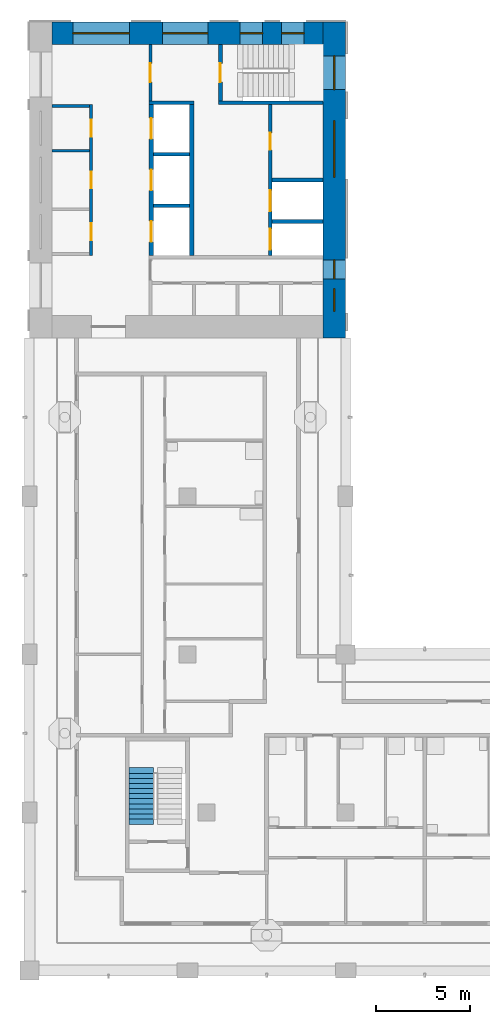
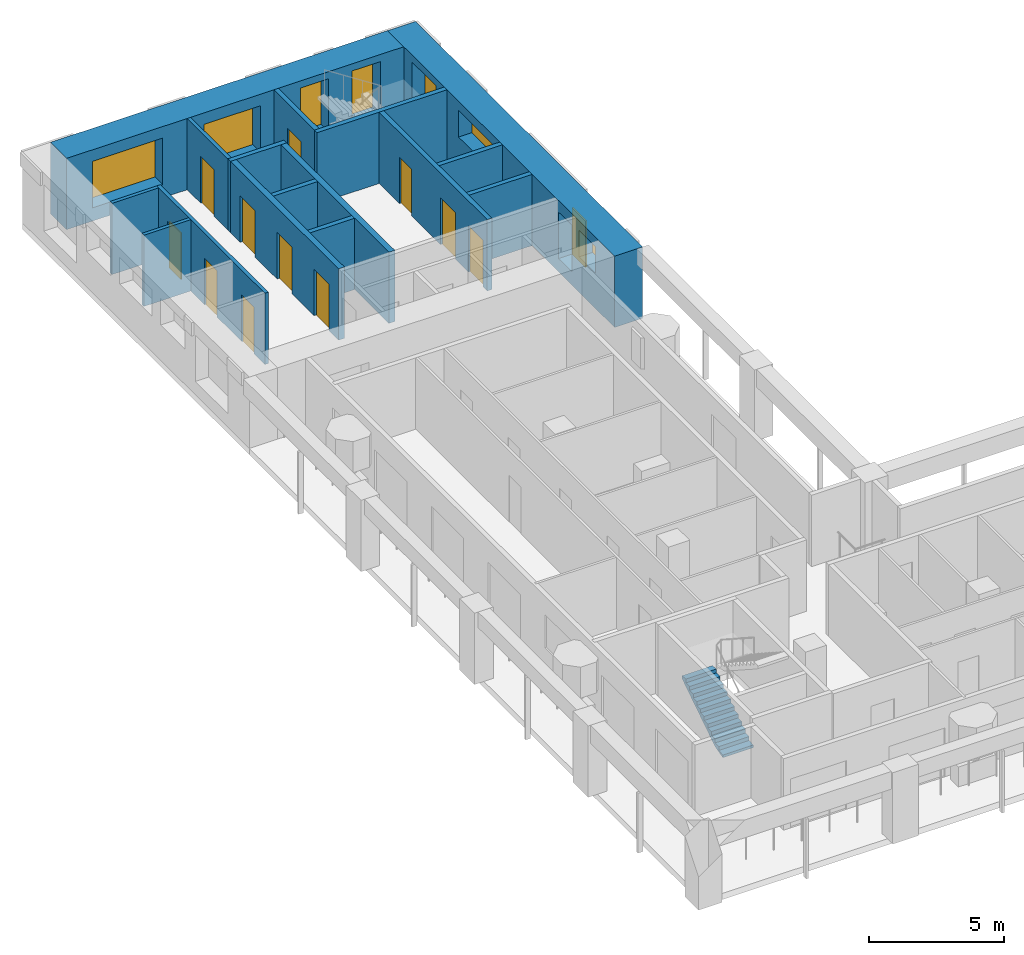
# One storey, part 6 of 12: 16 walls, 11 doors, 8 windows, 1 stair flight, 19 openings, 1 element without a shape of its own.
"""IFC4 building model written with IfcOpenShell, lengths in metres."""

from ifc_helpers import new_model, si_unit, direction, frame, frame_2d, origin, place, context, subcontext, project, spatial, polyline, rectangle, outline, extrude, material, layer, layer_set, type_object, element, fill, aggregate, save


model = new_model("IFC4")

# Units and contexts
model_context = context("Model", 3, precision=1e-05, world=origin(), true_north=direction((0.0, 1.0)))
body_context = subcontext(model_context, "Body", "Model", "MODEL_VIEW")
ifc_project = project(units=[si_unit("LENGTHUNIT", "METRE"), si_unit("AREAUNIT", "SQUARE_METRE"), si_unit("VOLUMEUNIT", "CUBIC_METRE"), si_unit("PLANEANGLEUNIT", "RADIAN"), si_unit("MASSUNIT", "GRAM", prefix="KILO")], contexts=[model_context])

# Site, building, storey
site_placement = place(None, origin())
site = spatial("IfcSite", under=ifc_project, at=site_placement, CompositionType="ELEMENT")
building_placement = place(site_placement, origin())
building = spatial("IfcBuilding", under=site, at=building_placement, Name="Vermilion Gate Residences", CompositionType="ELEMENT")
storey_placement = place(building_placement, frame((0.0, 0.0, 238.699951171875)))
storey = spatial("IfcBuildingStorey", under=building, at=storey_placement, Name="L62", CompositionType="ELEMENT", Elevation=238.699951171875)

# Walls
ifc_material_1 = material(Name="Masonry blockwork", Category="masonry")
ifc_layer_1 = layer(ifc_material_1, 0.14990234375)
ifc_layer_set_1 = layer_set([ifc_layer_1], Name="BLOCKWORK PARTITION 150 EI 120")
wall_type_1 = type_object("IfcWallType", Name="BLOCKWORK PARTITION 150 EI 120", PredefinedType="PARTITIONING", material=ifc_layer_set_1)
for number, where, z_axis, x_axis, name in (
    (1, (9.60009765625, 54.324951171875, 0.0), (0.0, 0.0, 1.0), (1.0, 0.0, 0.0), "Core room partition B62-RW-W"),
    (2, (9.60009765625, 51.955078125, 0.0), (0.0, 0.0, 1.0), (1.0, 0.0, 0.0), "Core room partition B62-SR-P0"),
):
    element("IfcWall", number, at=place(storey_placement, frame(where, z_axis=z_axis, x_axis=x_axis)), inside=storey, type_object=wall_type_1, Name=name, PredefinedType="PARTITIONING", context=body_context, shape_type="SweptSolid", body=[
        extrude(rectangle(XDim=2.0, YDim=0.14990234375, at=frame_2d((1.0, 0.0))), origin(), (0.0, 0.0, 1.0), 3.219970703125),
    ])

# Wall, openings, doors
wall_1_placement = place(storey_placement, frame((11.675048828125, 54.39990234375, 0.0), z_axis=(0.0, 0.0, 1.0), x_axis=(0.0, -1.0, 0.0)))
wall_1 = element("IfcWall", 3, at=wall_1_placement, inside=storey, type_object=wall_type_1, Name="Core room partition B62-LR-F", PredefinedType="PARTITIONING", context=body_context, shape_type="SweptSolid", body=[
    extrude(rectangle(XDim=8.0, YDim=0.14990234375, at=frame_2d((4.0, 0.0))), origin(), (0.0, 0.0, 1.0), 3.219970703125),
])
opening_1_placement = place(wall_1_placement, frame((0.81005859375, 0.0, 0.0)))
opening_1 = element("IfcOpeningElement", 4, at=opening_1_placement, cuts=wall_1, Name="Opening DK62102", PredefinedType="OPENING", context=body_context, shape_type="SweptSolid", body=[
    extrude(rectangle(XDim=0.89990234375, YDim=2.10009765625, at=frame_2d((0.449951171875, 1.050048828125))), frame((0.0, 0.0849609375, 0.0), z_axis=(0.0, -1.0, 0.0), x_axis=(1.0, 0.0, 0.0)), (0.0, 0.0, 1.0), 0.169921875),
])
opening_2_placement = place(wall_1_placement, frame((3.550048828125, 0.0, 0.0)))
opening_2 = element("IfcOpeningElement", 5, at=opening_2_placement, cuts=wall_1, Name="Opening DK62103", PredefinedType="OPENING", context=body_context, shape_type="SweptSolid", body=[
    extrude(rectangle(XDim=0.89990234375, YDim=2.10009765625, at=frame_2d((0.449951171875, 1.050048828125))), frame((0.0, 0.0849609375, 0.0), z_axis=(0.0, -1.0, 0.0), x_axis=(1.0, 0.0, 0.0)), (0.0, 0.0, 1.0), 0.169921875),
])
opening_3_placement = place(wall_1_placement, frame((6.2900390625, 0.0, 0.0)))
opening_3 = element("IfcOpeningElement", 6, at=opening_3_placement, cuts=wall_1, Name="Opening DK62104", PredefinedType="OPENING", context=body_context, shape_type="SweptSolid", body=[
    extrude(rectangle(XDim=0.89990234375, YDim=2.10009765625, at=frame_2d((0.449951171875, 1.050048828125))), frame((0.0, 0.0849609375, 0.0), z_axis=(0.0, -1.0, 0.0), x_axis=(1.0, 0.0, 0.0)), (0.0, 0.0, 1.0), 0.169921875),
])
ifc_material_2 = material(Name="Steel", Category="steel")
door_type_1 = type_object("IfcDoorType", Name="SERVICE ROOM DOOR FD60 900 X 2100", OperationType="SINGLE_SWING_LEFT", PredefinedType="DOOR", material=ifc_material_2)
door_1_placement = place(opening_1_placement, origin())
door_1 = element("IfcDoor", 7, at=door_1_placement, inside=storey, type_object=door_type_1, Name="Electrical room B62", OperationType="SINGLE_SWING_LEFT", OverallHeight=2.10009765625, OverallWidth=0.89990234375, PredefinedType="DOOR", context=body_context, shape_type="SweptSolid", body=[
    extrude(rectangle(XDim=0.89990234375, YDim=2.10009765625, at=frame_2d((0.449951171875, 1.050048828125))), frame((0.0, 0.02490234375, 0.0), z_axis=(0.0, -1.0, 0.0), x_axis=(1.0, 0.0, 0.0)), (0.0, 0.0, 1.0), 0.050048828125),
])
fill(opening_1, door_1)
door_2_placement = place(opening_2_placement, frame((0.89990234375, 0.0, 0.0), z_axis=(0.0, 0.0, 1.0), x_axis=(-1.0, 0.0, 0.0)))
door_2 = element("IfcDoor", 8, at=door_2_placement, inside=storey, type_object=door_type_1, Name="Communications room B62", OperationType="SINGLE_SWING_RIGHT", OverallHeight=2.10009765625, OverallWidth=0.89990234375, PredefinedType="DOOR", context=body_context, shape_type="SweptSolid", body=[
    extrude(rectangle(XDim=0.89990234375, YDim=2.10009765625, at=frame_2d((0.449951171875, 1.050048828125))), frame((0.0, 0.02490234375, 0.0), z_axis=(0.0, -1.0, 0.0), x_axis=(1.0, 0.0, 0.0)), (0.0, 0.0, 1.0), 0.050048828125),
])
fill(opening_2, door_2)
door_3_placement = place(opening_3_placement, frame((0.89990234375, 0.0, 0.0), z_axis=(0.0, 0.0, 1.0), x_axis=(-1.0, 0.0, 0.0)))
door_3 = element("IfcDoor", 9, at=door_3_placement, inside=storey, type_object=door_type_1, Name="Refuse room B62", OperationType="SINGLE_SWING_RIGHT", OverallHeight=2.10009765625, OverallWidth=0.89990234375, PredefinedType="DOOR", context=body_context, shape_type="SweptSolid", body=[
    extrude(rectangle(XDim=0.89990234375, YDim=2.10009765625, at=frame_2d((0.449951171875, 1.050048828125))), frame((0.0, 0.02490234375, 0.0), z_axis=(0.0, -1.0, 0.0), x_axis=(1.0, 0.0, 0.0)), (0.0, 0.0, 1.0), 0.050048828125),
])
fill(opening_3, door_3)

# Wall, opening, door
wall_2_placement = place(storey_placement, frame((14.824951171875, 57.60009765625, 0.0), z_axis=(0.0, 0.0, 1.0), x_axis=(0.0, -1.0, 0.0)))
wall_2 = element("IfcWall", 10, at=wall_2_placement, inside=storey, type_object=wall_type_1, Name="Core room partition B62-VW-S", PredefinedType="PARTITIONING", context=body_context, shape_type="SweptSolid", body=[
    extrude(rectangle(XDim=3.0, YDim=0.14990234375, at=frame_2d((1.5, 0.0))), origin(), (0.0, 0.0, 1.0), 3.219970703125),
])
opening_4_placement = place(wall_2_placement, frame((1.0, 0.0, 0.0)))
opening_4 = element("IfcOpeningElement", 11, at=opening_4_placement, cuts=wall_2, Name="Opening DK62111", PredefinedType="OPENING", context=body_context, shape_type="SweptSolid", body=[
    extrude(rectangle(XDim=1.0, YDim=2.10009765625, at=frame_2d((0.5, 1.050048828125))), frame((0.0, 0.0849609375, 0.0), z_axis=(0.0, -1.0, 0.0), x_axis=(1.0, 0.0, 0.0)), (0.0, 0.0, 1.0), 0.169921875),
])
ifc_material_3 = material(Name="Steel", Category="steel")
door_type_2 = type_object("IfcDoorType", Name="FIRE DOOR FD60 1000 X 2100", OperationType="SINGLE_SWING_LEFT", PredefinedType="DOOR", material=ifc_material_3)
door_4_placement = place(opening_4_placement, frame((1.0, 0.0, 0.0), z_axis=(0.0, 0.0, 1.0), x_axis=(-1.0, 0.0, 0.0)))
door_4 = element("IfcDoor", 12, at=door_4_placement, inside=storey, type_object=door_type_2, Name="Stair vestibule door B62", OperationType="SINGLE_SWING_RIGHT", OverallHeight=2.10009765625, OverallWidth=1.0, PredefinedType="DOOR", context=body_context, shape_type="SweptSolid", body=[
    extrude(rectangle(XDim=1.0, YDim=2.10009765625, at=frame_2d((0.5, 1.050048828125))), frame((0.0, 0.02490234375, 0.0), z_axis=(0.0, -1.0, 0.0), x_axis=(1.0, 0.0, 0.0)), (0.0, 0.0, 1.0), 0.050048828125),
])
fill(opening_4, door_4)

# Walls
ifc_material_4 = material(Name="Concrete C60", Category="concrete")
ifc_layer_2 = layer(ifc_material_4, 0.199951171875)
ifc_layer_set_2 = layer_set([ifc_layer_2], Name="RC CORE INTERNAL WALL 200 C60")
wall_type_2 = type_object("IfcWallType", Name="RC CORE INTERNAL WALL 200 C60", PredefinedType="SHEAR", material=ifc_layer_set_2)
for number, where, z_axis, x_axis, name in (
    (13, (15.0, 51.7666015625, 0.0), (0.0, 0.0, 1.0), (1.0, 0.0, 0.0), "Core internal wall B62-HR-D1"),
    (14, (15.0, 49.033447265625, 0.0), (0.0, 0.0, 1.0), (1.0, 0.0, 0.0), "Core internal wall B62-HR-D2"),
):
    element("IfcWall", number, at=place(storey_placement, frame(where, z_axis=z_axis, x_axis=x_axis)), inside=storey, type_object=wall_type_2, Name=name, PredefinedType="SHEAR", context=body_context, shape_type="SweptSolid", body=[
        extrude(rectangle(XDim=1.89990234375, YDim=0.199951171875, at=frame_2d((0.949951171875, 0.0))), origin(), (0.0, 0.0, 1.0), 3.219970703125),
    ])
for number, where, z_axis, x_axis, name in (
    (15, (21.300048828125, 50.39990234375, 0.0), (0.0, 0.0, 1.0), (1.0, 0.0, 0.0), "Core internal wall B62-FF-D0"),
    (16, (21.300048828125, 48.199951171875, 0.0), (0.0, 0.0, 1.0), (1.0, 0.0, 0.0), "Core internal wall B62-FF-D1"),
):
    element("IfcWall", number, at=place(storey_placement, frame(where, z_axis=z_axis, x_axis=x_axis)), inside=storey, type_object=wall_type_2, Name=name, PredefinedType="SHEAR", context=body_context, shape_type="SweptSolid", body=[
        extrude(rectangle(XDim=2.699951171875, YDim=0.199951171875, at=frame_2d((1.35009765625, 0.0))), origin(), (0.0, 0.0, 1.0), 3.219970703125),
    ])

# Wall, openings, doors
wall_3_placement = place(storey_placement, frame((21.199951171875, 54.39990234375, 0.0), z_axis=(0.0, 0.0, 1.0), x_axis=(0.0, -1.0, 0.0)))
wall_3 = element("IfcWall", 17, at=wall_3_placement, inside=storey, type_object=wall_type_2, Name="Core internal wall B62-FF-F", PredefinedType="SHEAR", context=body_context, shape_type="SweptSolid", body=[
    extrude(rectangle(XDim=8.0, YDim=0.199951171875, at=frame_2d((4.0, 0.0))), origin(), (0.0, 0.0, 1.0), 3.219970703125),
])
opening_5_placement = place(wall_3_placement, frame((1.5, 0.0, 0.0)))
opening_5 = element("IfcOpeningElement", 18, at=opening_5_placement, cuts=wall_3, Name="Opening DK62108", PredefinedType="OPENING", context=body_context, shape_type="SweptSolid", body=[
    extrude(rectangle(XDim=0.89990234375, YDim=2.10009765625, at=frame_2d((0.449951171875, 1.050048828125))), frame((0.0, 0.10986328125, 0.0), z_axis=(0.0, -1.0, 0.0), x_axis=(1.0, 0.0, 0.0)), (0.0, 0.0, 1.0), 0.219970703125),
])
opening_6_placement = place(wall_3_placement, frame((4.550048828125, 0.0, 0.0)))
opening_6 = element("IfcOpeningElement", 19, at=opening_6_placement, cuts=wall_3, Name="Opening LD", PredefinedType="OPENING", context=body_context, shape_type="SweptSolid", body=[
    extrude(rectangle(XDim=1.10009765625, YDim=2.10009765625, at=frame_2d((0.550048828125, 1.050048828125))), frame((0.0, 0.10986328125, 0.0), z_axis=(0.0, -1.0, 0.0), x_axis=(1.0, 0.0, 0.0)), (0.0, 0.0, 1.0), 0.219970703125),
])
opening_7_placement = place(wall_3_placement, frame((6.60009765625, 0.0, 0.0)))
opening_7 = element("IfcOpeningElement", 20, at=opening_7_placement, cuts=wall_3, Name="Opening LD", PredefinedType="OPENING", context=body_context, shape_type="SweptSolid", body=[
    extrude(rectangle(XDim=1.10009765625, YDim=2.10009765625, at=frame_2d((0.550048828125, 1.050048828125))), frame((0.0, 0.10986328125, 0.0), z_axis=(0.0, -1.0, 0.0), x_axis=(1.0, 0.0, 0.0)), (0.0, 0.0, 1.0), 0.219970703125),
])
ifc_material_5 = material(Name="Stainless steel", Category="steel")
door_type_3 = type_object("IfcDoorType", Name="LIFT LANDING DOOR E60 1100 X 2100", OperationType="DOUBLE_DOOR_SLIDING", PredefinedType="DOOR", material=ifc_material_5)
door_5_placement = place(opening_6_placement, origin())
door_5 = element("IfcDoor", 21, at=door_5_placement, inside=storey, type_object=door_type_3, Name="Lift landing door LFB1", OperationType="DOUBLE_DOOR_SLIDING", OverallHeight=2.10009765625, OverallWidth=1.10009765625, PredefinedType="DOOR", context=body_context, shape_type="SweptSolid", body=[
    extrude(rectangle(XDim=1.10009765625, YDim=2.10009765625, at=frame_2d((0.550048828125, 1.050048828125))), frame((0.0, 0.02490234375, 0.0), z_axis=(0.0, -1.0, 0.0), x_axis=(1.0, 0.0, 0.0)), (0.0, 0.0, 1.0), 0.050048828125),
])
fill(opening_6, door_5)
door_6_placement = place(opening_7_placement, origin())
door_6 = element("IfcDoor", 22, at=door_6_placement, inside=storey, type_object=door_type_3, Name="Lift landing door LCB1", OperationType="DOUBLE_DOOR_SLIDING", OverallHeight=2.10009765625, OverallWidth=1.10009765625, PredefinedType="DOOR", context=body_context, shape_type="SweptSolid", body=[
    extrude(rectangle(XDim=1.10009765625, YDim=2.10009765625, at=frame_2d((0.550048828125, 1.050048828125))), frame((0.0, 0.02490234375, 0.0), z_axis=(0.0, -1.0, 0.0), x_axis=(1.0, 0.0, 0.0)), (0.0, 0.0, 1.0), 0.050048828125),
])
fill(opening_7, door_6)
door_7_placement = place(opening_5_placement, origin())
door_7 = element("IfcDoor", 23, at=door_7_placement, inside=storey, type_object=door_type_1, Name="Electrical riser B62", OperationType="SINGLE_SWING_LEFT", OverallHeight=2.10009765625, OverallWidth=0.89990234375, PredefinedType="DOOR", context=body_context, shape_type="SweptSolid", body=[
    extrude(rectangle(XDim=0.89990234375, YDim=2.10009765625, at=frame_2d((0.449951171875, 1.050048828125))), frame((0.0, 0.02490234375, 0.0), z_axis=(0.0, -1.0, 0.0), x_axis=(1.0, 0.0, 0.0)), (0.0, 0.0, 1.0), 0.050048828125),
])
fill(opening_5, door_7)

# Walls
wall_4_placement = place(storey_placement, frame((14.75, 54.5, 0.0), z_axis=(0.0, 0.0, 1.0), x_axis=(1.0, 0.0, 0.0)))
element("IfcWall", 24, at=wall_4_placement, inside=storey, type_object=wall_type_2, Name="Core internal wall B62-WDIV1", PredefinedType="SHEAR", context=body_context, shape_type="SweptSolid", body=[
    extrude(rectangle(XDim=2.39990234375, YDim=0.199951171875, at=frame_2d((1.199951171875, 0.0))), origin(), (0.0, 0.0, 1.0), 3.219970703125),
])
wall_5_placement = place(storey_placement, frame((18.449951171875, 54.5, 0.0), z_axis=(0.0, 0.0, 1.0), x_axis=(1.0, 0.0, 0.0)))
element("IfcWall", 25, at=wall_5_placement, inside=storey, type_object=wall_type_2, Name="Core internal wall B62-WDIV2", PredefinedType="SHEAR", context=body_context, shape_type="SweptSolid", body=[
    extrude(rectangle(XDim=5.550048828125, YDim=0.199951171875, at=frame_2d((2.77490234375, 0.0))), origin(), (0.0, 0.0, 1.0), 3.219970703125),
])

# Wall, opening, door
wall_6_placement = place(storey_placement, frame((18.550048828125, 57.60009765625, 0.0), z_axis=(0.0, 0.0, 1.0), x_axis=(0.0, -1.0, 0.0)))
wall_6 = element("IfcWall", 26, at=wall_6_placement, inside=storey, type_object=wall_type_2, Name="Core internal wall B62-STW-S", PredefinedType="SHEAR", context=body_context, shape_type="SweptSolid", body=[
    extrude(rectangle(XDim=3.0, YDim=0.199951171875, at=frame_2d((1.5, 0.0))), origin(), (0.0, 0.0, 1.0), 3.219970703125),
])
opening_8_placement = place(wall_6_placement, frame((1.0, 0.0, 0.0)))
opening_8 = element("IfcOpeningElement", 27, at=opening_8_placement, cuts=wall_6, Name="Opening DK62112", PredefinedType="OPENING", context=body_context, shape_type="SweptSolid", body=[
    extrude(rectangle(XDim=1.0, YDim=2.10009765625, at=frame_2d((0.5, 1.050048828125))), frame((0.0, 0.10986328125, 0.0), z_axis=(0.0, -1.0, 0.0), x_axis=(1.0, 0.0, 0.0)), (0.0, 0.0, 1.0), 0.219970703125),
])
door_8_placement = place(opening_8_placement, origin())
door_8 = element("IfcDoor", 28, at=door_8_placement, inside=storey, type_object=door_type_2, Name="Stair door B62", OperationType="SINGLE_SWING_LEFT", OverallHeight=2.10009765625, OverallWidth=1.0, PredefinedType="DOOR", context=body_context, shape_type="SweptSolid", body=[
    extrude(rectangle(XDim=1.0, YDim=2.10009765625, at=frame_2d((0.5, 1.050048828125))), frame((0.0, 0.02490234375, 0.0), z_axis=(0.0, -1.0, 0.0), x_axis=(1.0, 0.0, 0.0)), (0.0, 0.0, 1.0), 0.050048828125),
])
fill(opening_8, door_8)

# Wall, openings, windows
ifc_material_6 = material(Name="Concrete C50 red-oxide pigmented", Category="concrete")
ifc_layer_3 = layer(ifc_material_6, 1.199951171875)
ifc_layer_set_3 = layer_set([ifc_layer_3], Name="RC CORE WALL 1200 C50 RED OXIDE")
wall_type_3 = type_object("IfcWallType", Name="RC CORE WALL 1200 C50 RED OXIDE", PredefinedType="SHEAR", material=ifc_layer_set_3)
wall_7_placement = place(storey_placement, frame((24.60009765625, 58.800048828125, 0.0), z_axis=(0.0, 0.0, 1.0), x_axis=(0.0, -1.0, 0.0)))
wall_7 = element("IfcWall", 29, at=wall_7_placement, inside=storey, type_object=wall_type_3, Name="Core wall B62-OUT-B1", PredefinedType="SHEAR", context=body_context, shape_type="SweptSolid", body=[
    extrude(rectangle(XDim=16.800048828125, YDim=1.199951171875, at=frame_2d((8.39990234375, 0.0))), origin(), (0.0, 0.0, 1.0), 3.219970703125),
])
opening_9_placement = place(wall_7_placement, frame((1.800048828125, 0.0, 0.5)))
opening_9 = element("IfcOpeningElement", 30, at=opening_9_placement, cuts=wall_7, Name="Opening WKB6206", PredefinedType="OPENING", context=body_context, shape_type="SweptSolid", body=[
    extrude(rectangle(XDim=1.800048828125, YDim=2.39990234375, at=frame_2d((0.89990234375, 1.199951171875))), frame((0.0, 0.60986328125, 0.0), z_axis=(0.0, -1.0, 0.0), x_axis=(1.0, 0.0, 0.0)), (0.0, 0.0, 1.0), 1.219970703125),
])
opening_10_placement = place(wall_7_placement, frame((5.25, 0.0, 1.60009765625)))
opening_10 = element("IfcOpeningElement", 31, at=opening_10_placement, cuts=wall_7, Name="Opening WKB6207", PredefinedType="OPENING", context=body_context, shape_type="SweptSolid", body=[
    extrude(rectangle(XDim=3.0, YDim=1.199951171875, at=frame_2d((1.5, 0.60009765625))), frame((0.0, 0.60986328125, 0.0), z_axis=(0.0, -1.0, 0.0), x_axis=(1.0, 0.0, 0.0)), (0.0, 0.0, 1.0), 1.219970703125),
])
opening_11_placement = place(wall_7_placement, frame((12.64990234375, 0.0, 0.60009765625)))
opening_11 = element("IfcOpeningElement", 32, at=opening_11_placement, cuts=wall_7, Name="Opening WKB6208", PredefinedType="OPENING", context=body_context, shape_type="SweptSolid", body=[
    extrude(rectangle(XDim=1.0, YDim=2.10009765625, at=frame_2d((0.5, 1.050048828125))), frame((0.0, 0.60986328125, 0.0), z_axis=(0.0, -1.0, 0.0), x_axis=(1.0, 0.0, 0.0)), (0.0, 0.0, 1.0), 1.219970703125),
])
opening_12_placement = place(wall_7_placement, frame((14.175048828125, 0.0, 1.60009765625)))
opening_12 = element("IfcOpeningElement", 33, at=opening_12_placement, cuts=wall_7, Name="Opening WKB6209", PredefinedType="OPENING", context=body_context, shape_type="SweptSolid", body=[
    extrude(rectangle(XDim=1.199951171875, YDim=1.199951171875, at=frame_2d((0.60009765625, 0.60009765625))), frame((0.0, 0.60986328125, 0.0), z_axis=(0.0, -1.0, 0.0), x_axis=(1.0, 0.0, 0.0)), (0.0, 0.0, 1.0), 1.219970703125),
])
ifc_material_7 = material(Name="Aluminium and clear glass", Category="aluminium")
window_type_1 = type_object("IfcWindowType", Name="CORE CORRIDOR WINDOW 1000 X 2100", PartitioningType="SINGLE_PANEL", PredefinedType="WINDOW", material=ifc_material_7)
window_1_placement = place(opening_11_placement, origin())
window_1 = element("IfcWindow", 34, at=window_1_placement, inside=storey, type_object=window_type_1, Name="Core corridor window", OverallHeight=2.10009765625, OverallWidth=1.0, PartitioningType="SINGLE_PANEL", PredefinedType="WINDOW", context=body_context, shape_type="SweptSolid", body=[
    extrude(rectangle(XDim=1.0, YDim=2.10009765625, at=frame_2d((0.5, 1.050048828125))), frame((0.0, 0.030029296875, 0.0), z_axis=(0.0, -1.0, 0.0), x_axis=(1.0, 0.0, 0.0)), (0.0, 0.0, 1.0), 0.06005859375),
])
fill(opening_11, window_1)
ifc_material_8 = material(Name="Aluminium frame with louvre blades", Category="aluminium")
window_type_2 = type_object("IfcWindowType", Name="CORE LOUVRE 1200 X 1200", PartitioningType="SINGLE_PANEL", PredefinedType="WINDOW", material=ifc_material_8)
window_2_placement = place(opening_12_placement, origin())
window_2 = element("IfcWindow", 35, at=window_2_placement, inside=storey, type_object=window_type_2, Name="Core louvre", OverallHeight=1.199951171875, OverallWidth=1.199951171875, PartitioningType="SINGLE_PANEL", PredefinedType="WINDOW", context=body_context, shape_type="SweptSolid", body=[
    extrude(rectangle(XDim=1.199951171875, YDim=1.199951171875, at=frame_2d((0.60009765625, 0.60009765625))), frame((0.0, 0.030029296875, 0.0), z_axis=(0.0, -1.0, 0.0), x_axis=(1.0, 0.0, 0.0)), (0.0, 0.0, 1.0), 0.06005859375),
])
fill(opening_12, window_2)
ifc_material_9 = material(Name="Aluminium frame with louvre blades", Category="aluminium")
window_type_3 = type_object("IfcWindowType", Name="CORE LOUVRE 3000 X 1200", PartitioningType="SINGLE_PANEL", PredefinedType="WINDOW", material=ifc_material_9)
window_3_placement = place(opening_10_placement, origin())
window_3 = element("IfcWindow", 36, at=window_3_placement, inside=storey, type_object=window_type_3, Name="Core louvre", OverallHeight=1.199951171875, OverallWidth=3.0, PartitioningType="SINGLE_PANEL", PredefinedType="WINDOW", context=body_context, shape_type="SweptSolid", body=[
    extrude(rectangle(XDim=3.0, YDim=1.199951171875, at=frame_2d((1.5, 0.60009765625))), frame((0.0, 0.030029296875, 0.0), z_axis=(0.0, -1.0, 0.0), x_axis=(1.0, 0.0, 0.0)), (0.0, 0.0, 1.0), 0.06005859375),
])
fill(opening_10, window_3)
ifc_material_10 = material(Name="Aluminium and clear glass", Category="aluminium")
window_type_4 = type_object("IfcWindowType", Name="CORE STAIR WINDOW 1800 X 2400", PartitioningType="SINGLE_PANEL", PredefinedType="WINDOW", material=ifc_material_10)
window_4_placement = place(opening_9_placement, origin())
window_4 = element("IfcWindow", 37, at=window_4_placement, inside=storey, type_object=window_type_4, Name="Core stair window", OverallHeight=2.39990234375, OverallWidth=1.800048828125, PartitioningType="SINGLE_PANEL", PredefinedType="WINDOW", context=body_context, shape_type="SweptSolid", body=[
    extrude(rectangle(XDim=1.800048828125, YDim=2.39990234375, at=frame_2d((0.89990234375, 1.199951171875))), frame((0.0, 0.030029296875, 0.0), z_axis=(0.0, -1.0, 0.0), x_axis=(1.0, 0.0, 0.0)), (0.0, 0.0, 1.0), 0.06005859375),
])
fill(opening_9, window_4)

wall_8_placement = place(storey_placement, frame((9.60009765625, 58.199951171875, 0.0), z_axis=(0.0, 0.0, 1.0), x_axis=(1.0, 0.0, 0.0)))
wall_8 = element("IfcWall", 38, at=wall_8_placement, inside=storey, type_object=wall_type_3, Name="Core wall B62-OUT-FR", PredefinedType="SHEAR", context=body_context, shape_type="SweptSolid", body=[
    extrude(rectangle(XDim=14.39990234375, YDim=1.199951171875, at=frame_2d((7.199951171875, 0.0))), origin(), (0.0, 0.0, 1.0), 3.219970703125),
])
opening_13_placement = place(wall_8_placement, frame((1.10498046875, 0.0, 0.60009765625)))
opening_13 = element("IfcOpeningElement", 39, at=opening_13_placement, cuts=wall_8, Name="Opening WKB6210", PredefinedType="OPENING", context=body_context, shape_type="SweptSolid", body=[
    extrude(rectangle(XDim=3.0, YDim=2.10009765625, at=frame_2d((1.5, 1.050048828125))), frame((0.0, 0.60986328125, 0.0), z_axis=(0.0, -1.0, 0.0), x_axis=(1.0, 0.0, 0.0)), (0.0, 0.0, 1.0), 1.219970703125),
])
opening_14_placement = place(wall_8_placement, frame((5.875, 0.0, 0.60009765625)))
opening_14 = element("IfcOpeningElement", 40, at=opening_14_placement, cuts=wall_8, Name="Opening WKB6211", PredefinedType="OPENING", context=body_context, shape_type="SweptSolid", body=[
    extrude(rectangle(XDim=2.39990234375, YDim=2.10009765625, at=frame_2d((1.199951171875, 1.050048828125))), frame((0.0, 0.60986328125, 0.0), z_axis=(0.0, -1.0, 0.0), x_axis=(1.0, 0.0, 0.0)), (0.0, 0.0, 1.0), 1.219970703125),
])
opening_15_placement = place(wall_8_placement, frame((9.993408203125, 0.0, 0.5)))
opening_15 = element("IfcOpeningElement", 41, at=opening_15_placement, cuts=wall_8, Name="Opening WKB6212", PredefinedType="OPENING", context=body_context, shape_type="SweptSolid", body=[
    extrude(rectangle(XDim=1.199951171875, YDim=2.39990234375, at=frame_2d((0.60009765625, 1.199951171875))), frame((0.0, 0.60986328125, 0.0), z_axis=(0.0, -1.0, 0.0), x_axis=(1.0, 0.0, 0.0)), (0.0, 0.0, 1.0), 1.219970703125),
])
opening_16_placement = place(wall_8_placement, frame((12.19677734375, 0.0, 0.5)))
opening_16 = element("IfcOpeningElement", 42, at=opening_16_placement, cuts=wall_8, Name="Opening WKB6213", PredefinedType="OPENING", context=body_context, shape_type="SweptSolid", body=[
    extrude(rectangle(XDim=1.199951171875, YDim=2.39990234375, at=frame_2d((0.60009765625, 1.199951171875))), frame((0.0, 0.60986328125, 0.0), z_axis=(0.0, -1.0, 0.0), x_axis=(1.0, 0.0, 0.0)), (0.0, 0.0, 1.0), 1.219970703125),
])
ifc_material_11 = material(Name="Aluminium and clear glass", Category="aluminium")
window_type_5 = type_object("IfcWindowType", Name="CORE LOBBY WINDOW 2400 X 2100", PartitioningType="SINGLE_PANEL", PredefinedType="WINDOW", material=ifc_material_11)
window_5_placement = place(opening_14_placement, origin())
window_5 = element("IfcWindow", 43, at=window_5_placement, inside=storey, type_object=window_type_5, Name="Core lobby window", OverallHeight=2.10009765625, OverallWidth=2.39990234375, PartitioningType="SINGLE_PANEL", PredefinedType="WINDOW", context=body_context, shape_type="SweptSolid", body=[
    extrude(rectangle(XDim=2.39990234375, YDim=2.10009765625, at=frame_2d((1.199951171875, 1.050048828125))), frame((0.0, 0.030029296875, 0.0), z_axis=(0.0, -1.0, 0.0), x_axis=(1.0, 0.0, 0.0)), (0.0, 0.0, 1.0), 0.06005859375),
])
fill(opening_14, window_5)
ifc_material_12 = material(Name="Aluminium and clear glass", Category="aluminium")
window_type_6 = type_object("IfcWindowType", Name="CORE LOBBY WINDOW 3000 X 2100", PartitioningType="SINGLE_PANEL", PredefinedType="WINDOW", material=ifc_material_12)
window_6_placement = place(opening_13_placement, origin())
window_6 = element("IfcWindow", 44, at=window_6_placement, inside=storey, type_object=window_type_6, Name="Core lobby window", OverallHeight=2.10009765625, OverallWidth=3.0, PartitioningType="SINGLE_PANEL", PredefinedType="WINDOW", context=body_context, shape_type="SweptSolid", body=[
    extrude(rectangle(XDim=3.0, YDim=2.10009765625, at=frame_2d((1.5, 1.050048828125))), frame((0.0, 0.030029296875, 0.0), z_axis=(0.0, -1.0, 0.0), x_axis=(1.0, 0.0, 0.0)), (0.0, 0.0, 1.0), 0.06005859375),
])
fill(opening_13, window_6)
ifc_material_13 = material(Name="Aluminium and clear glass", Category="aluminium")
window_type_7 = type_object("IfcWindowType", Name="CORE STAIR WINDOW 1200 X 2400", PartitioningType="SINGLE_PANEL", PredefinedType="WINDOW", material=ifc_material_13)
window_7_placement = place(opening_15_placement, origin())
window_7 = element("IfcWindow", 45, at=window_7_placement, inside=storey, type_object=window_type_7, Name="Core stair window", OverallHeight=2.39990234375, OverallWidth=1.199951171875, PartitioningType="SINGLE_PANEL", PredefinedType="WINDOW", context=body_context, shape_type="SweptSolid", body=[
    extrude(rectangle(XDim=1.199951171875, YDim=2.39990234375, at=frame_2d((0.60009765625, 1.199951171875))), frame((0.0, 0.030029296875, 0.0), z_axis=(0.0, -1.0, 0.0), x_axis=(1.0, 0.0, 0.0)), (0.0, 0.0, 1.0), 0.06005859375),
])
fill(opening_15, window_7)
window_8_placement = place(opening_16_placement, origin())
window_8 = element("IfcWindow", 46, at=window_8_placement, inside=storey, type_object=window_type_7, Name="Core stair window", OverallHeight=2.39990234375, OverallWidth=1.199951171875, PartitioningType="SINGLE_PANEL", PredefinedType="WINDOW", context=body_context, shape_type="SweptSolid", body=[
    extrude(rectangle(XDim=1.199951171875, YDim=2.39990234375, at=frame_2d((0.60009765625, 1.199951171875))), frame((0.0, 0.030029296875, 0.0), z_axis=(0.0, -1.0, 0.0), x_axis=(1.0, 0.0, 0.0)), (0.0, 0.0, 1.0), 0.06005859375),
])
fill(opening_16, window_8)

# Wall, openings, doors
ifc_material_14 = material(Name="Concrete C60", Category="concrete")
ifc_layer_4 = layer(ifc_material_14, 0.25)
ifc_layer_set_4 = layer_set([ifc_layer_4], Name="RC LIFT SHAFT WALL 250 C60")
wall_type_4 = type_object("IfcWallType", Name="RC LIFT SHAFT WALL 250 C60", PredefinedType="SHEAR", material=ifc_layer_set_4)
wall_9_placement = place(storey_placement, frame((14.875, 54.39990234375, 0.0), z_axis=(0.0, 0.0, 1.0), x_axis=(0.0, -1.0, 0.0)))
wall_9 = element("IfcWall", 47, at=wall_9_placement, inside=storey, type_object=wall_type_4, Name="Lift shaft wall B62-HR-F", PredefinedType="SHEAR", context=body_context, shape_type="SweptSolid", body=[
    extrude(rectangle(XDim=8.0, YDim=0.25, at=frame_2d((4.0, 0.0))), origin(), (0.0, 0.0, 1.0), 3.219970703125),
])
opening_17_placement = place(wall_9_placement, frame((0.716552734375, 0.0, 0.0)))
opening_17 = element("IfcOpeningElement", 48, at=opening_17_placement, cuts=wall_9, Name="Opening LD", PredefinedType="OPENING", context=body_context, shape_type="SweptSolid", body=[
    extrude(rectangle(XDim=1.10009765625, YDim=2.10009765625, at=frame_2d((0.550048828125, 1.050048828125))), frame((0.0, 0.135009765625, 0.0), z_axis=(0.0, -1.0, 0.0), x_axis=(1.0, 0.0, 0.0)), (0.0, 0.0, 1.0), 0.27001953125),
])
opening_18_placement = place(wall_9_placement, frame((3.449951171875, 0.0, 0.0)))
opening_18 = element("IfcOpeningElement", 49, at=opening_18_placement, cuts=wall_9, Name="Opening LD", PredefinedType="OPENING", context=body_context, shape_type="SweptSolid", body=[
    extrude(rectangle(XDim=1.10009765625, YDim=2.10009765625, at=frame_2d((0.550048828125, 1.050048828125))), frame((0.0, 0.135009765625, 0.0), z_axis=(0.0, -1.0, 0.0), x_axis=(1.0, 0.0, 0.0)), (0.0, 0.0, 1.0), 0.27001953125),
])
opening_19_placement = place(wall_9_placement, frame((6.183349609375, 0.0, 0.0)))
opening_19 = element("IfcOpeningElement", 50, at=opening_19_placement, cuts=wall_9, Name="Opening LD", PredefinedType="OPENING", context=body_context, shape_type="SweptSolid", body=[
    extrude(rectangle(XDim=1.10009765625, YDim=2.10009765625, at=frame_2d((0.550048828125, 1.050048828125))), frame((0.0, 0.135009765625, 0.0), z_axis=(0.0, -1.0, 0.0), x_axis=(1.0, 0.0, 0.0)), (0.0, 0.0, 1.0), 0.27001953125),
])
door_9_placement = place(opening_17_placement, origin())
door_9 = element("IfcDoor", 51, at=door_9_placement, inside=storey, type_object=door_type_3, Name="Lift landing door HRB1", OperationType="DOUBLE_DOOR_SLIDING", OverallHeight=2.10009765625, OverallWidth=1.10009765625, PredefinedType="DOOR", context=body_context, shape_type="SweptSolid", body=[
    extrude(rectangle(XDim=1.10009765625, YDim=2.10009765625, at=frame_2d((0.550048828125, 1.050048828125))), frame((0.0, 0.02490234375, 0.0), z_axis=(0.0, -1.0, 0.0), x_axis=(1.0, 0.0, 0.0)), (0.0, 0.0, 1.0), 0.050048828125),
])
fill(opening_17, door_9)
door_10_placement = place(opening_18_placement, origin())
door_10 = element("IfcDoor", 52, at=door_10_placement, inside=storey, type_object=door_type_3, Name="Lift landing door HRB2", OperationType="DOUBLE_DOOR_SLIDING", OverallHeight=2.10009765625, OverallWidth=1.10009765625, PredefinedType="DOOR", context=body_context, shape_type="SweptSolid", body=[
    extrude(rectangle(XDim=1.10009765625, YDim=2.10009765625, at=frame_2d((0.550048828125, 1.050048828125))), frame((0.0, 0.02490234375, 0.0), z_axis=(0.0, -1.0, 0.0), x_axis=(1.0, 0.0, 0.0)), (0.0, 0.0, 1.0), 0.050048828125),
])
fill(opening_18, door_10)
door_11_placement = place(opening_19_placement, origin())
door_11 = element("IfcDoor", 53, at=door_11_placement, inside=storey, type_object=door_type_3, Name="Lift landing door HRB3", OperationType="DOUBLE_DOOR_SLIDING", OverallHeight=2.10009765625, OverallWidth=1.10009765625, PredefinedType="DOOR", context=body_context, shape_type="SweptSolid", body=[
    extrude(rectangle(XDim=1.10009765625, YDim=2.10009765625, at=frame_2d((0.550048828125, 1.050048828125))), frame((0.0, 0.02490234375, 0.0), z_axis=(0.0, -1.0, 0.0), x_axis=(1.0, 0.0, 0.0)), (0.0, 0.0, 1.0), 0.050048828125),
])
fill(opening_19, door_11)

# Wall
wall_10_placement = place(storey_placement, frame((17.02490234375, 54.39990234375, 0.0), z_axis=(0.0, 0.0, 1.0), x_axis=(0.0, -1.0, 0.0)))
element("IfcWall", 54, at=wall_10_placement, inside=storey, type_object=wall_type_4, Name="Lift shaft wall B62-HR-B", PredefinedType="SHEAR", context=body_context, shape_type="SweptSolid", body=[
    extrude(rectangle(XDim=8.0, YDim=0.25, at=frame_2d((4.0, 0.0))), origin(), (0.0, 0.0, 1.0), 3.219970703125),
])

# Stair, stair flight
ifc_material_15 = material(Name="Concrete C50", Category="concrete")
stair_type = type_object("IfcStairType", Name="SPECIAL ESCAPE STAIR 1300", PredefinedType="HALF_TURN_STAIR", material=ifc_material_15)
stair_placement = place(storey_placement, origin())
stair = element("IfcStair", 55, at=stair_placement, inside=storey, type_object=stair_type, Name="Special escape stair STC1-62", PredefinedType="HALF_TURN_STAIR")
ifc_material_16 = material(Name="Concrete C50", Category="concrete")
stair_flight_type = type_object("IfcStairFlightType", Name="STAIR FLIGHT 1300 RC C50", PredefinedType="STRAIGHT", material=ifc_material_16)
stair_flight_placement = place(storey_placement, frame((14.35009765625, 16.449951171875, 0.0), z_axis=(0.0, 0.0, 1.0), x_axis=(0.0, 1.0, 0.0)))
stair_flight = element("IfcStairFlight", 56, at=stair_flight_placement, type_object=stair_flight_type, Name="STC1-62 flight 1", NumberOfRisers=10, NumberOfTreads=9, PredefinedType="STRAIGHT", RiserHeight=0.175, TreadLength=0.27, context=body_context, shape_type="SweptSolid", body=[
    extrude(outline(polyline([(-0.300048828125, -0.14990234375), (-0.300048828125, -0.030029296875), (0.0, 0.0), (0.0, 0.175048828125), (0.27001953125, 0.175048828125), (0.27001953125, 0.35009765625), (0.5400390625, 0.35009765625), (0.5400390625, 0.52490234375), (0.81005859375, 0.52490234375), (0.81005859375, 0.699951171875), (1.080078125, 0.699951171875), (1.080078125, 0.875), (1.35009765625, 0.875), (1.35009765625, 1.050048828125), (1.6201171875, 1.050048828125), (1.6201171875, 1.22509765625), (1.889892578125, 1.22509765625), (1.889892578125, 1.39990234375), (2.159912109375, 1.39990234375), (2.159912109375, 1.574951171875), (2.429931640625, 1.574951171875), (2.429931640625, 1.75), (2.72998046875, 1.719970703125), (2.72998046875, 1.60009765625), (2.429931640625, 1.396484375), (0.275634765625, 0.0), (-0.300048828125, -0.14990234375)])), frame((0.0, 0.64990234375, 0.0), z_axis=(0.0, -1.0, 0.0), x_axis=(1.0, 0.0, 0.0)), (0.0, 0.0, 1.0), 1.300048828125),
])
aggregate(stair, [stair_flight])

save(model, "model.ifc")
